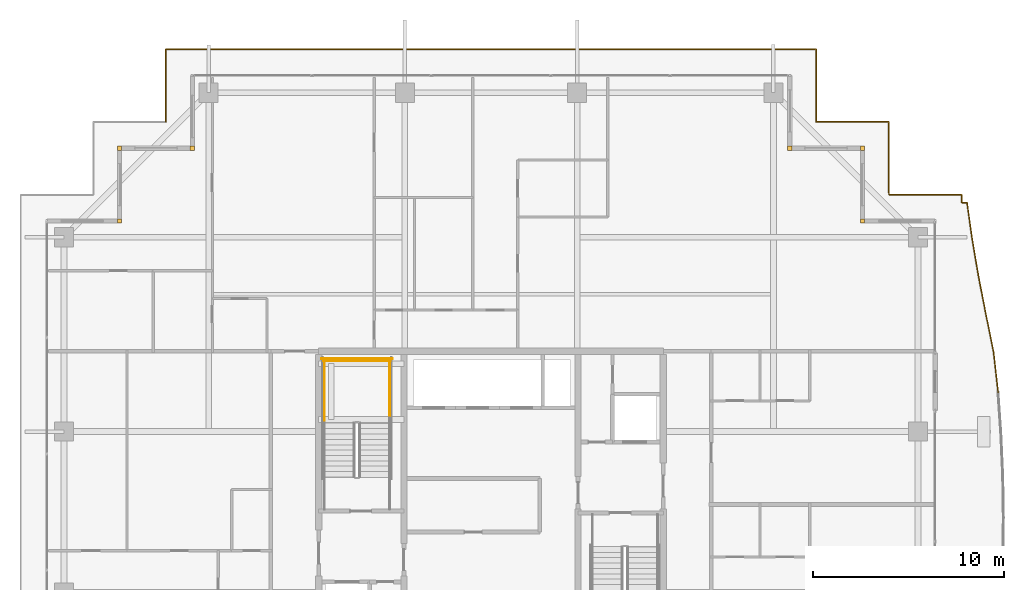
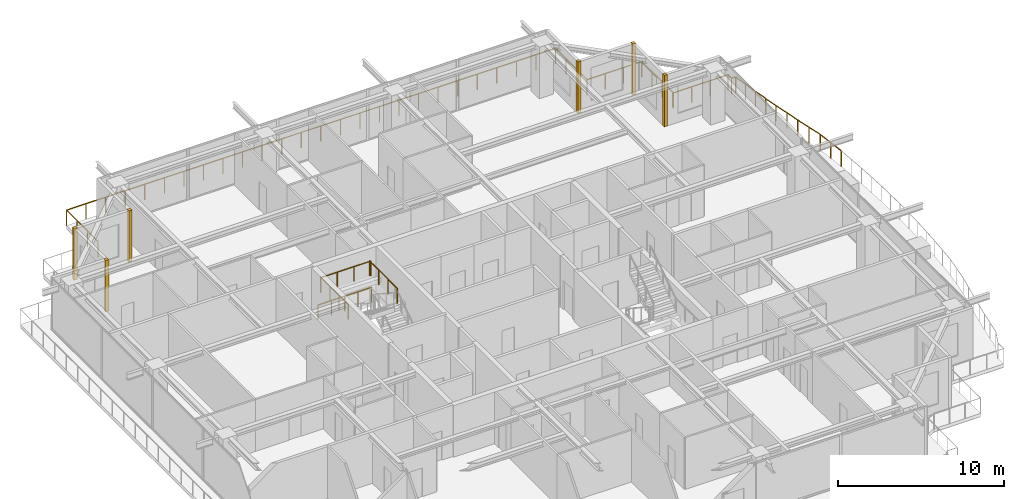
# One storey, part 42 of 42: 6 coverings, 6 railings.
"""IFC4 building model written with IfcOpenShell, lengths in metres."""

from ifc_helpers import new_model, si_unit, direction, frame, origin, origin_2d, place, context, subcontext, project, spatial, rectangle, circle, extrude, source, transform, mapped, material, layer, layer_set, type_object, element, save


model = new_model("IFC4")

# Units and contexts
model_context = context("Model", 3, precision=1e-05, world=origin(), true_north=direction((0.0, 1.0)))
body_context = subcontext(model_context, "Body", "Model", "MODEL_VIEW")
ifc_project = project(units=[si_unit("LENGTHUNIT", "METRE"), si_unit("AREAUNIT", "SQUARE_METRE"), si_unit("VOLUMEUNIT", "CUBIC_METRE"), si_unit("PLANEANGLEUNIT", "RADIAN"), si_unit("MASSUNIT", "GRAM", prefix="KILO")], contexts=[model_context])

# Site, building, storey
site_placement = place(None, origin())
site = spatial("IfcSite", under=ifc_project, at=site_placement, CompositionType="ELEMENT")
building_placement = place(site_placement, origin())
building = spatial("IfcBuilding", under=site, at=building_placement, Name="Serunith Strait Residences", CompositionType="ELEMENT")
storey_placement = place(building_placement, frame((0.0, 0.0, 309.64990234375)))
storey = spatial("IfcBuildingStorey", under=building, at=storey_placement, Name="L77", CompositionType="ELEMENT", Elevation=309.64990234375)

# Railings
ifc_material_1 = material(Name="Stainless Steel & Laminated Glass Balustrade", Category="steel")
railing_type_1 = type_object("IfcRailingType", Name="RLG-BALC-1150", PredefinedType="BALUSTRADE", material=ifc_material_1)
railing_1_placement = place(storey_placement, frame((15.407470703125, 45.580078125, -0.0498046875)))
element("IfcRailing", 1, at=railing_1_placement, inside=storey, type_object=railing_type_1, Name="L77 Swirling Balcony Perimeter Balustrade 2", PredefinedType="BALUSTRADE", context=body_context, shape_type="SweptSolid", body=[
    extrude(circle(Radius=0.02392578125, at=origin_2d()), frame((0.012451171875, 0.006591796875, 1.1259765625), z_axis=(0.0, 1.0, 0.0), x_axis=(-1.0, 0.0, 0.0)), (0.0, 0.0, 1.0), 3.791259765625),
    extrude(circle(Radius=0.02392578125, at=origin_2d()), frame((0.014404296875, 3.7998046875, 1.1259765625), z_axis=(1.0, 0.0, 0.0), x_axis=(0.0, 1.0, 0.0)), (0.0, 0.0, 1.0), 33.9560546875),
    extrude(circle(Radius=0.02392578125, at=origin_2d()), frame((33.972412109375, 3.7978515625, 1.1259765625), z_axis=(0.0, -1.0, 0.0), x_axis=(1.0, 0.0, 0.0)), (0.0, 0.0, 1.0), 3.7958984375),
    extrude(circle(Radius=0.02392578125, at=origin_2d()), frame((33.974365234375, 0.0, 1.1259765625), z_axis=(1.0, 0.0, 0.0), x_axis=(0.0, 1.0, 0.0)), (0.0, 0.0, 1.0), 3.796142578125),
    extrude(circle(Radius=0.02392578125, at=origin_2d()), frame((37.7724609375, -0.001953125, 1.1259765625), z_axis=(0.0, -1.0, 0.0), x_axis=(1.0, 0.0, 0.0)), (0.0, 0.0, 1.0), 3.678466796875),
    extrude(circle(Radius=0.02392578125, at=origin_2d()), frame((37.772705078125, -3.684326171875, 1.1259765625), z_axis=(0.149744613642, -0.988724709252, 0.0), x_axis=(0.988724709252, 0.149744613642, 0.0)), (0.0, 0.0, 1.0), 0.114990234375),
    extrude(circle(Radius=0.02099609375, at=origin_2d()), frame((0.012451171875, 0.004638671875, 0.0)), (0.0, 0.0, 1.0), 1.099853515625),
    extrude(circle(Radius=0.02099609375, at=origin_2d()), frame((0.012451171875, 1.269775390625, 0.0)), (0.0, 0.0, 1.0), 1.099853515625),
    extrude(circle(Radius=0.02099609375, at=origin_2d()), frame((0.012451171875, 2.53466796875, 0.0)), (0.0, 0.0, 1.0), 1.099853515625),
    extrude(circle(Radius=0.02099609375, at=origin_2d()), frame((0.012451171875, 3.7998046875, 0.0)), (0.0, 0.0, 1.0), 1.099853515625),
    extrude(circle(Radius=0.02099609375, at=origin_2d()), frame((1.370849609375, 3.7998046875, 0.0)), (0.0, 0.0, 1.0), 1.099853515625),
    extrude(circle(Radius=0.02099609375, at=origin_2d()), frame((2.729248046875, 3.7998046875, 0.0)), (0.0, 0.0, 1.0), 1.099853515625),
    extrude(circle(Radius=0.02099609375, at=origin_2d()), frame((4.087646484375, 3.7998046875, 0.0)), (0.0, 0.0, 1.0), 1.099853515625),
    extrude(circle(Radius=0.02099609375, at=origin_2d()), frame((5.446044921875, 3.7998046875, 0.0)), (0.0, 0.0, 1.0), 1.099853515625),
    extrude(circle(Radius=0.02099609375, at=origin_2d()), frame((6.804443359375, 3.7998046875, 0.0)), (0.0, 0.0, 1.0), 1.099853515625),
    extrude(circle(Radius=0.02099609375, at=origin_2d()), frame((8.162841796875, 3.7998046875, 0.0)), (0.0, 0.0, 1.0), 1.099853515625),
    extrude(circle(Radius=0.02099609375, at=origin_2d()), frame((9.521240234375, 3.7998046875, 0.0)), (0.0, 0.0, 1.0), 1.099853515625),
    extrude(circle(Radius=0.02099609375, at=origin_2d()), frame((10.879638671875, 3.7998046875, 0.0)), (0.0, 0.0, 1.0), 1.099853515625),
    extrude(circle(Radius=0.02099609375, at=origin_2d()), frame((12.238037109375, 3.7998046875, 0.0)), (0.0, 0.0, 1.0), 1.099853515625),
    extrude(circle(Radius=0.02099609375, at=origin_2d()), frame((13.596435546875, 3.7998046875, 0.0)), (0.0, 0.0, 1.0), 1.099853515625),
    extrude(circle(Radius=0.02099609375, at=origin_2d()), frame((14.954833984375, 3.7998046875, 0.0)), (0.0, 0.0, 1.0), 1.099853515625),
    extrude(circle(Radius=0.02099609375, at=origin_2d()), frame((16.313232421875, 3.7998046875, 0.0)), (0.0, 0.0, 1.0), 1.099853515625),
    extrude(circle(Radius=0.02099609375, at=origin_2d()), frame((17.671630859375, 3.7998046875, 0.0)), (0.0, 0.0, 1.0), 1.099853515625),
    extrude(circle(Radius=0.02099609375, at=origin_2d()), frame((19.030029296875, 3.7998046875, 0.0)), (0.0, 0.0, 1.0), 1.099853515625),
    extrude(circle(Radius=0.02099609375, at=origin_2d()), frame((20.388427734375, 3.7998046875, 0.0)), (0.0, 0.0, 1.0), 1.099853515625),
    extrude(circle(Radius=0.02099609375, at=origin_2d()), frame((21.746826171875, 3.7998046875, 0.0)), (0.0, 0.0, 1.0), 1.099853515625),
    extrude(circle(Radius=0.02099609375, at=origin_2d()), frame((23.105224609375, 3.7998046875, 0.0)), (0.0, 0.0, 1.0), 1.099853515625),
    extrude(circle(Radius=0.02099609375, at=origin_2d()), frame((24.463623046875, 3.7998046875, 0.0)), (0.0, 0.0, 1.0), 1.099853515625),
    extrude(circle(Radius=0.02099609375, at=origin_2d()), frame((25.822021484375, 3.7998046875, 0.0)), (0.0, 0.0, 1.0), 1.099853515625),
    extrude(circle(Radius=0.02099609375, at=origin_2d()), frame((27.180419921875, 3.7998046875, 0.0)), (0.0, 0.0, 1.0), 1.099853515625),
    extrude(circle(Radius=0.02099609375, at=origin_2d()), frame((28.538818359375, 3.7998046875, 0.0)), (0.0, 0.0, 1.0), 1.099853515625),
    extrude(circle(Radius=0.02099609375, at=origin_2d()), frame((29.897216796875, 3.7998046875, 0.0)), (0.0, 0.0, 1.0), 1.099853515625),
    extrude(circle(Radius=0.02099609375, at=origin_2d()), frame((31.255615234375, 3.7998046875, 0.0)), (0.0, 0.0, 1.0), 1.099853515625),
    extrude(circle(Radius=0.02099609375, at=origin_2d()), frame((32.614013671875, 3.7998046875, 0.0)), (0.0, 0.0, 1.0), 1.099853515625),
    extrude(circle(Radius=0.02099609375, at=origin_2d()), frame((33.972412109375, 3.7998046875, 0.0)), (0.0, 0.0, 1.0), 1.099853515625),
    extrude(circle(Radius=0.02099609375, at=origin_2d()), frame((33.972412109375, 2.533203125, 0.0)), (0.0, 0.0, 1.0), 1.099853515625),
    extrude(circle(Radius=0.02099609375, at=origin_2d()), frame((33.972412109375, 1.2666015625, 0.0)), (0.0, 0.0, 1.0), 1.099853515625),
    extrude(circle(Radius=0.02099609375, at=origin_2d()), frame((33.972412109375, 0.0, 0.0)), (0.0, 0.0, 1.0), 1.099853515625),
    extrude(circle(Radius=0.02099609375, at=origin_2d()), frame((35.239013671875, 0.0, 0.0)), (0.0, 0.0, 1.0), 1.099853515625),
    extrude(circle(Radius=0.02099609375, at=origin_2d()), frame((36.505859375, 0.0, 0.0)), (0.0, 0.0, 1.0), 1.099853515625),
    extrude(circle(Radius=0.02099609375, at=origin_2d()), frame((37.7724609375, 0.0, 0.0)), (0.0, 0.0, 1.0), 1.099853515625),
    extrude(circle(Radius=0.02099609375, at=origin_2d()), frame((37.7724609375, -1.2275390625, 0.0)), (0.0, 0.0, 1.0), 1.099853515625),
    extrude(circle(Radius=0.02099609375, at=origin_2d()), frame((37.7724609375, -2.454833984375, 0.0)), (0.0, 0.0, 1.0), 1.099853515625),
    extrude(circle(Radius=0.02099609375, at=origin_2d()), frame((37.7724609375, -3.682373046875, 0.0)), (0.0, 0.0, 1.0), 1.099853515625),
    extrude(circle(Radius=0.02099609375, at=origin_2d()), frame((37.790283203125, -3.800048828125, 0.0)), (0.0, 0.0, 1.0), 1.099853515625),
])
railing_2_placement = place(storey_placement, frame((53.19775390625, 41.780029296875, -0.0498046875)))
element("IfcRailing", 2, at=railing_2_placement, inside=storey, type_object=railing_type_1, Name="L77 Swirling Balcony Perimeter Balustrade 3", PredefinedType="BALUSTRADE", context=body_context, shape_type="SweptSolid", body=[
    extrude(circle(Radius=0.02392578125, at=origin_2d()), frame((0.001953125, 0.0, 1.1259765625), z_axis=(1.0, 0.0, 0.0), x_axis=(0.0, 1.0, 0.0)), (0.0, 0.0, 1.0), 3.7783203125),
    extrude(circle(Radius=0.02392578125, at=origin_2d()), frame((3.7822265625, -0.001953125, 1.1259765625), z_axis=(0.0, -1.0, 0.0), x_axis=(1.0, 0.0, 0.0)), (0.0, 0.0, 1.0), 0.41015625),
    extrude(circle(Radius=0.02392578125, at=origin_2d()), frame((3.7841796875, -0.4140625, 1.1259765625), z_axis=(0.998170054728, -0.060469346319, 0.0), x_axis=(0.060469346319, 0.998170054728, 0.0)), (0.0, 0.0, 1.0), 0.28271484375),
    extrude(circle(Radius=0.02392578125, at=origin_2d()), frame((4.068603515625, -0.433349609375, 1.1259765625), z_axis=(0.140620308188, -0.990063598424, 0.0), x_axis=(0.990063598424, 0.140620308188, 0.0)), (0.0, 0.0, 1.0), 1.916259765625),
    extrude(circle(Radius=0.02392578125, at=origin_2d()), frame((4.338623046875, -2.33447265625, 1.1259765625), z_axis=(0.168121028957, -0.98576636158, 0.0), x_axis=(0.98576636158, 0.168121028957, 0.0)), (0.0, 0.0, 1.0), 1.94189453125),
    extrude(circle(Radius=0.02392578125, at=origin_2d()), frame((4.666015625, -4.252685546875, 1.1259765625), z_axis=(0.190208989524, -0.981743622492, 0.0), x_axis=(0.981743622492, 0.190208989524, 0.0)), (0.0, 0.0, 1.0), 1.984130859375),
    extrude(circle(Radius=0.02392578125, at=origin_2d()), frame((5.044189453125, -6.20458984375, 1.1259765625), z_axis=(0.199901556358, -0.979815986686, 0.0), x_axis=(0.979815986686, 0.199901556358, 0.0)), (0.0, 0.0, 1.0), 2.041748046875),
    extrude(circle(Radius=0.02392578125, at=origin_2d()), frame((5.452880859375, -8.208984375, 1.1259765625), z_axis=(0.112675167171, -0.993631876855, 0.0), x_axis=(0.993631876855, 0.112675167171, 0.0)), (0.0, 0.0, 1.0), 2.12158203125),
    extrude(circle(Radius=0.02099609375, at=origin_2d()), origin(), (0.0, 0.0, 1.0), 1.099853515625),
    extrude(circle(Radius=0.02099609375, at=origin_2d()), frame((1.2607421875, 0.0, 0.0)), (0.0, 0.0, 1.0), 1.099853515625),
    extrude(circle(Radius=0.02099609375, at=origin_2d()), frame((2.521484375, 0.0, 0.0)), (0.0, 0.0, 1.0), 1.099853515625),
    extrude(circle(Radius=0.02099609375, at=origin_2d()), frame((3.7822265625, 0.0, 0.0)), (0.0, 0.0, 1.0), 1.099853515625),
    extrude(circle(Radius=0.02099609375, at=origin_2d()), frame((3.7822265625, -0.4140625, 0.0)), (0.0, 0.0, 1.0), 1.099853515625),
    extrude(circle(Radius=0.02099609375, at=origin_2d()), frame((4.068359375, -0.431396484375, 0.0)), (0.0, 0.0, 1.0), 1.099853515625),
    extrude(circle(Radius=0.02099609375, at=origin_2d()), frame((4.203369140625, -1.3818359375, 0.0)), (0.0, 0.0, 1.0), 1.099853515625),
    extrude(circle(Radius=0.02099609375, at=origin_2d()), frame((4.33837890625, -2.33251953125, 0.0)), (0.0, 0.0, 1.0), 1.099853515625),
    extrude(circle(Radius=0.02099609375, at=origin_2d()), frame((4.501953125, -3.29150390625, 0.0)), (0.0, 0.0, 1.0), 1.099853515625),
    extrude(circle(Radius=0.02099609375, at=origin_2d()), frame((4.66552734375, -4.250732421875, 0.0)), (0.0, 0.0, 1.0), 1.099853515625),
    extrude(circle(Radius=0.02099609375, at=origin_2d()), frame((4.8544921875, -5.2265625, 0.0)), (0.0, 0.0, 1.0), 1.099853515625),
    extrude(circle(Radius=0.02099609375, at=origin_2d()), frame((5.043701171875, -6.20263671875, 0.0)), (0.0, 0.0, 1.0), 1.099853515625),
    extrude(circle(Radius=0.02099609375, at=origin_2d()), frame((5.248046875, -7.204833984375, 0.0)), (0.0, 0.0, 1.0), 1.099853515625),
    extrude(circle(Radius=0.02099609375, at=origin_2d()), frame((5.45263671875, -8.20703125, 0.0)), (0.0, 0.0, 1.0), 1.099853515625),
    extrude(circle(Radius=0.02099609375, at=origin_2d()), frame((5.572265625, -9.26318359375, 0.0)), (0.0, 0.0, 1.0), 1.099853515625),
    extrude(circle(Radius=0.02099609375, at=origin_2d()), frame((5.692138671875, -10.319091796875, 0.0)), (0.0, 0.0, 1.0), 1.099853515625),
])
ifc_material_2 = material(Name="Brushed stainless steel 316L", Category="steel")
railing_type_2 = type_object("IfcRailingType", Name="RLG-STAIR-GUARD", PredefinedType="BALUSTRADE", material=ifc_material_2)
for number, where, name in (
    (3, (27.10009765625, 29.830078125, 2.025146484375), "L77 ST-1 stair guard 3"),
    (4, (23.699951171875, 29.830078125, 2.025146484375), "L77 ST-1 stair guard 4"),
):
    element("IfcRailing", number, at=place(storey_placement, frame(where)), inside=storey, type_object=railing_type_2, Name=name, PredefinedType="BALUSTRADE", context=body_context, shape_type="SweptSolid", body=[
        extrude(circle(Radius=0.02392578125, at=origin_2d()), frame((0.0, 0.001953125, 1.076171875), z_axis=(0.0, 1.0, 0.0), x_axis=(-1.0, 0.0, 0.0)), (0.0, 0.0, 1.0), 3.31591796875),
        extrude(circle(Radius=0.02099609375, at=origin_2d()), origin(), (0.0, 0.0, 1.0), 1.050048828125),
        extrude(circle(Radius=0.02099609375, at=origin_2d()), frame((0.0, 1.106689453125, 0.0)), (0.0, 0.0, 1.0), 1.050048828125),
        extrude(circle(Radius=0.02099609375, at=origin_2d()), frame((0.0, 2.213134765625, 0.0)), (0.0, 0.0, 1.0), 1.050048828125),
        extrude(circle(Radius=0.02099609375, at=origin_2d()), frame((0.0, 3.31982421875, 0.0)), (0.0, 0.0, 1.0), 1.050048828125),
    ])
railing_3_placement = place(storey_placement, frame((27.14990234375, 33.10009765625, 2.025146484375)))
element("IfcRailing", 5, at=railing_3_placement, inside=storey, type_object=railing_type_2, Name="L77 ST-1 stair guard 5", PredefinedType="BALUSTRADE", context=body_context, shape_type="SweptSolid", body=[
    extrude(circle(Radius=0.02392578125, at=origin_2d()), frame((-0.001953125, 0.0, 1.076171875), z_axis=(-1.0, 0.0, 0.0), x_axis=(0.0, -1.0, 0.0)), (0.0, 0.0, 1.0), 3.49609375),
    extrude(circle(Radius=0.02099609375, at=origin_2d()), origin(), (0.0, 0.0, 1.0), 1.050048828125),
    extrude(circle(Radius=0.02099609375, at=origin_2d()), frame((-1.166748046875, 0.0, 0.0)), (0.0, 0.0, 1.0), 1.050048828125),
    extrude(circle(Radius=0.02099609375, at=origin_2d()), frame((-2.333251953125, 0.0, 0.0)), (0.0, 0.0, 1.0), 1.050048828125),
    extrude(circle(Radius=0.02099609375, at=origin_2d()), frame((-3.5, 0.0, 0.0)), (0.0, 0.0, 1.0), 1.050048828125),
])
railing_4_placement = place(storey_placement, frame((27.25, 33.199951171875, 0.0)))
element("IfcRailing", 6, at=railing_4_placement, inside=storey, type_object=railing_type_2, Name="L77 ST-1 stair guard 12", PredefinedType="BALUSTRADE", context=body_context, shape_type="SweptSolid", body=[
    extrude(circle(Radius=0.02392578125, at=origin_2d()), frame((-0.001953125, 0.0, 1.076171875), z_axis=(-1.0, 0.0, 0.0), x_axis=(0.0, -1.0, 0.0)), (0.0, 0.0, 1.0), 3.696044921875),
    extrude(circle(Radius=0.02099609375, at=origin_2d()), origin(), (0.0, 0.0, 1.0), 1.050048828125),
    extrude(circle(Radius=0.02099609375, at=origin_2d()), frame((-0.925048828125, 0.0, 0.0)), (0.0, 0.0, 1.0), 1.050048828125),
    extrude(circle(Radius=0.02099609375, at=origin_2d()), frame((-1.85009765625, 0.0, 0.0)), (0.0, 0.0, 1.0), 1.050048828125),
    extrude(circle(Radius=0.02099609375, at=origin_2d()), frame((-2.77490234375, 0.0, 0.0)), (0.0, 0.0, 1.0), 1.050048828125),
    extrude(circle(Radius=0.02099609375, at=origin_2d()), frame((-3.699951171875, 0.0, 0.0)), (0.0, 0.0, 1.0), 1.050048828125),
])

# Coverings
ifc_material_3 = material(Name="Pale-Champagne Anodised Aluminium", Category="aluminium")
ifc_layer = layer(ifc_material_3, 0.219970703125, Name="Pale-Champagne Anodised Aluminium")
ifc_layer_set = layer_set([ifc_layer], Name="Pale-Champagne Anodised Aluminium")
covering_type = type_object("IfcCoveringType", Name="COV-CORN-TRIM", PredefinedType="CLADDING", material=ifc_layer_set)
shared_shape = source(origin(), body_context, "Body", "SweptSolid", [
    extrude(rectangle(XDim=0.221923828125, YDim=0.221923828125, at=origin_2d()), origin(), (0.0, 0.0, 1.0), 3.77490234375),
])
for number, where, z_axis, x_axis, name in (
    (7, (51.800048828125, 40.39990234375, 0.000244140625), (0.0, 0.0, 1.0), (1.0, 0.0, 0.0), "L77 Girih Serrated Corner Trim Post 07"),
    (8, (51.800048828125, 44.199951171875, 0.000244140625), (0.0, 0.0, 1.0), (1.0, 0.0, 0.0), "L77 Girih Serrated Corner Trim Post 08"),
    (9, (48.0, 44.199951171875, 0.000244140625), (0.0, 0.0, 1.0), (1.0, 0.0, 0.0), "L77 Girih Serrated Corner Trim Post 09"),
    (10, (16.800048828125, 44.199951171875, 0.000244140625), (0.0, 0.0, 1.0), (1.0, 0.0, 0.0), "L77 Girih Serrated Corner Trim Post 12"),
    (11, (13.0, 44.199951171875, 0.000244140625), (0.0, 0.0, 1.0), (1.0, 0.0, 0.0), "L77 Girih Serrated Corner Trim Post 13"),
    (12, (13.0, 40.39990234375, 0.000244140625), (0.0, 0.0, 1.0), (1.0, 0.0, 0.0), "L77 Girih Serrated Corner Trim Post 14"),
):
    element("IfcCovering", number, at=place(storey_placement, frame(where, z_axis=z_axis, x_axis=x_axis)), inside=storey, type_object=covering_type, Name=name, PredefinedType="CLADDING", context=body_context, shape_type="MappedRepresentation", body=[
        mapped(shared_shape, transform((0.0, 0.0, 0.0), scale=1.0)),
    ])

save(model, "model.ifc")
